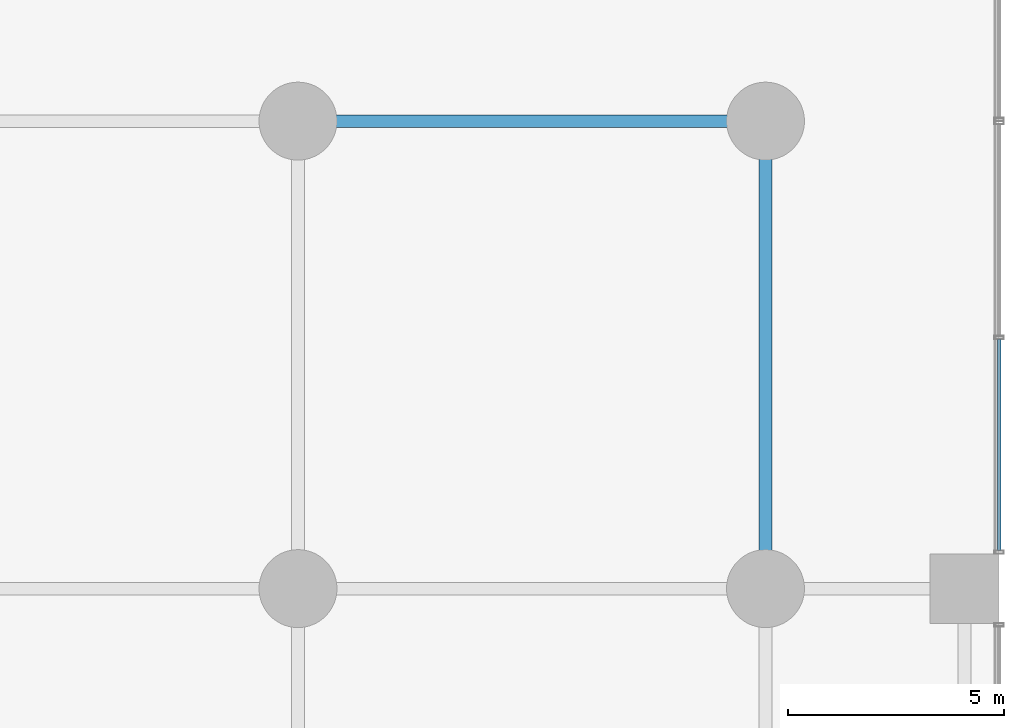
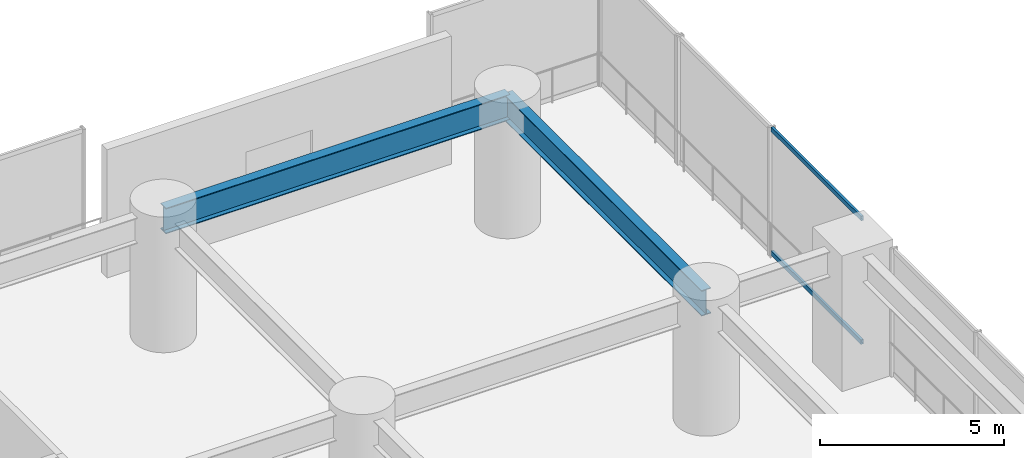
# One storey, part 24 of 36: 2 beams, 2 members, 1 element without a shape of its own.
"""IFC4 building model written with IfcOpenShell, lengths in metres."""

from ifc_helpers import new_model, si_unit, direction, frame, origin, origin_2d, place, context, subcontext, project, spatial, hollow_rectangle, i_section, extrude, material, layer, layer_set, material_profile, profile_set, type_object, element, aggregate, save


model = new_model("IFC4")

# Units and contexts
model_context = context("Model", 3, precision=1e-05, world=origin(), true_north=direction((0.0, 1.0)))
body_context = subcontext(model_context, "Body", "Model", "MODEL_VIEW")
ifc_project = project(units=[si_unit("LENGTHUNIT", "METRE"), si_unit("AREAUNIT", "SQUARE_METRE"), si_unit("VOLUMEUNIT", "CUBIC_METRE"), si_unit("PLANEANGLEUNIT", "RADIAN"), si_unit("MASSUNIT", "GRAM", prefix="KILO")], contexts=[model_context])

# Site, building, storey
site_placement = place(None, origin())
site = spatial("IfcSite", under=ifc_project, at=site_placement, CompositionType="ELEMENT")
building_placement = place(site_placement, origin())
building = spatial("IfcBuilding", under=site, at=building_placement, Name="Surkhivell Harbour Commons", CompositionType="ELEMENT")
storey_placement = place(building_placement, frame((0.0, 0.0, 9.0)))
storey = spatial("IfcBuildingStorey", under=building, at=storey_placement, Name="L02", CompositionType="ELEMENT", Elevation=9.0)

# Beams
ifc_material_1 = material(Name="Steel S460", Category="steel")
ifc_material_profile_1 = material_profile(ifc_material_1, i_section(OverallWidth=0.2939453125, OverallDepth=0.85107421875, WebThickness=0.01611328125, FlangeThickness=0.02685546875, at=origin_2d()), Name="UB838x292x226")
ifc_profile_set_1 = profile_set([ifc_material_profile_1], Name="Steel S460")
beam_type = type_object("IfcBeamType", Name="BM-SPN-838", PredefinedType="SPANDREL", material=ifc_profile_set_1)
beam_1_placement = place(storey_placement, frame((21.60009765625, 21.60009765625, 3.824462890625), z_axis=(1.0, 0.0, 0.0), x_axis=(0.0, 1.0, 0.0)))
element("IfcBeam", 1, at=beam_1_placement, inside=storey, type_object=beam_type, Name="L02 Framing Beam (21.6,21.6)", PredefinedType="SPANDREL", context=body_context, shape_type="SweptSolid", body=[
    extrude(i_section(OverallWidth=0.2939453125, OverallDepth=0.85107421875, WebThickness=0.01611328125, FlangeThickness=0.02685546875, at=origin_2d()), origin(), (0.0, 0.0, 1.0), 10.7998046875),
])
beam_2_placement = place(storey_placement, frame((32.39990234375, 10.800048828125, 3.824462890625), z_axis=(0.0, 1.0, 0.0), x_axis=(-1.0, 0.0, 0.0)))
element("IfcBeam", 2, at=beam_2_placement, inside=storey, type_object=beam_type, Name="L02 Framing Beam (32.4,10.8)", PredefinedType="SPANDREL", context=body_context, shape_type="SweptSolid", body=[
    extrude(i_section(OverallWidth=0.2939453125, OverallDepth=0.85107421875, WebThickness=0.01611328125, FlangeThickness=0.02685546875, at=origin_2d()), origin(), (0.0, 0.0, 1.0), 10.800048828125),
])

# Curtain wall, members
ifc_material_2 = material(Name="Anodised pale-metal aluminium and insulated glazing", Category="aluminium")
ifc_layer = layer(ifc_material_2, 0.239990234375)
ifc_layer_set = layer_set([ifc_layer], Name="Anodised pale-metal aluminium and insulated glazing")
curtain_wall_type = type_object("IfcCurtainWallType", Name="CW-SYS-POD", PredefinedType="NOTDEFINED", material=ifc_layer_set)
curtain_wall_placement = place(storey_placement, origin())
curtain_wall = element("IfcCurtainWall", 3, at=curtain_wall_placement, inside=storey, type_object=curtain_wall_type, Name="L02 Curtain Wall CW-L02-E5", PredefinedType="NOTDEFINED")
ifc_material_3 = material(Name="Anodised pale-metal aluminium alloy 6063-T6", Category="aluminium")
ifc_material_profile_2 = material_profile(ifc_material_3, hollow_rectangle(XDim=0.074951171875, YDim=0.14990234375, WallThickness=0.00341796875, at=origin_2d()), Name="ALU-TRAN-75x150")
ifc_profile_set_2 = profile_set([ifc_material_profile_2], Name="Anodised pale-metal aluminium alloy 6063-T6")
member_type = type_object("IfcMemberType", Name="CWT-150", PredefinedType="USERDEFINED", material=ifc_profile_set_2)
member_1_placement = place(storey_placement, frame((37.800048828125, 16.5634765625, 0.074951171875), z_axis=(0.0, -1.0, 0.0), x_axis=(1.0, 0.0, 0.0)))
member_1 = element("IfcMember", 4, at=member_1_placement, type_object=member_type, Name="CW-POD transom 2.1", ObjectType="TRANSOM", PredefinedType="USERDEFINED", context=body_context, shape_type="SweptSolid", body=[
    extrude(hollow_rectangle(XDim=0.074951171875, YDim=0.14990234375, WallThickness=0.00341796875, at=origin_2d()), origin(), (0.0, 0.0, 1.0), 4.886474609375),
])
member_2_placement = place(storey_placement, frame((37.800048828125, 16.5634765625, 4.175048828125), z_axis=(0.0, -1.0, 0.0), x_axis=(1.0, 0.0, 0.0)))
member_2 = element("IfcMember", 5, at=member_2_placement, type_object=member_type, Name="CW-POD transom 2.2", ObjectType="TRANSOM", PredefinedType="USERDEFINED", context=body_context, shape_type="SweptSolid", body=[
    extrude(hollow_rectangle(XDim=0.074951171875, YDim=0.14990234375, WallThickness=0.00341796875, at=origin_2d()), origin(), (0.0, 0.0, 1.0), 4.886474609375),
])
aggregate(curtain_wall, [member_1, member_2])

save(model, "model.ifc")
